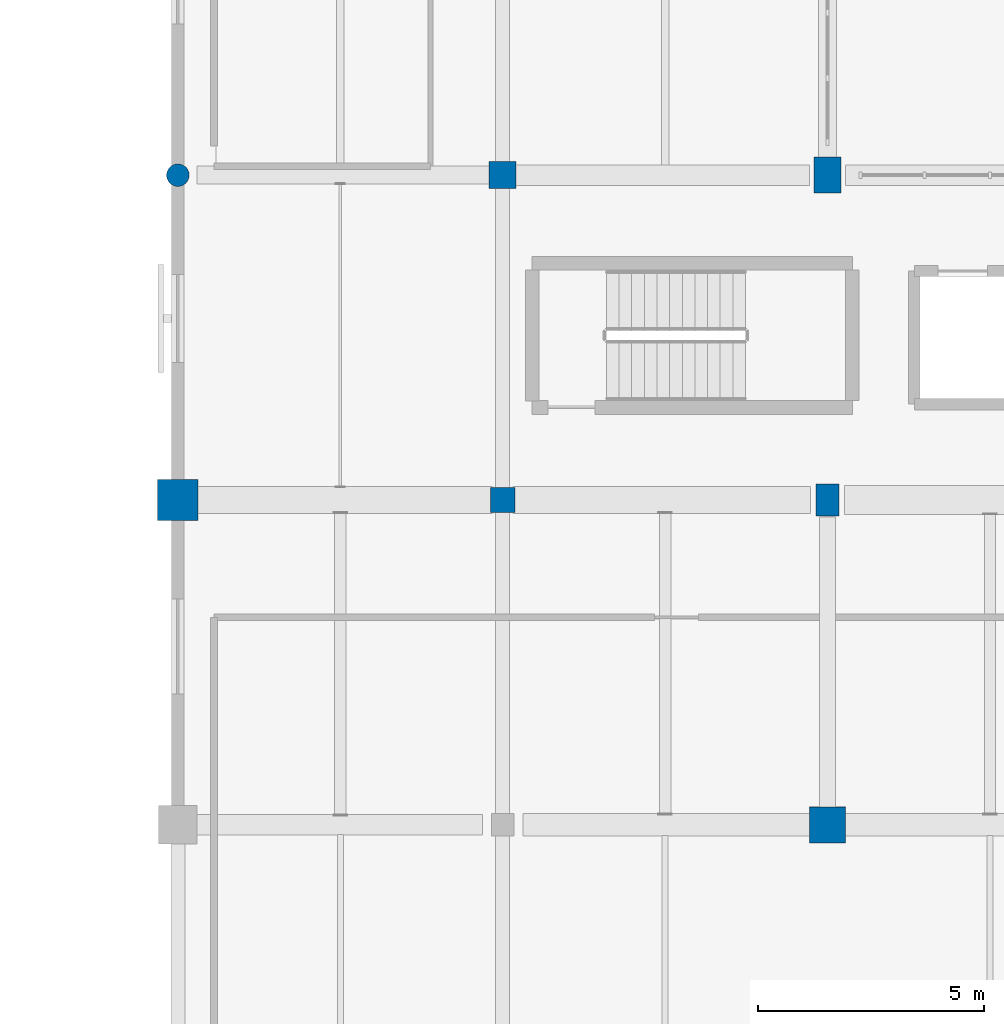
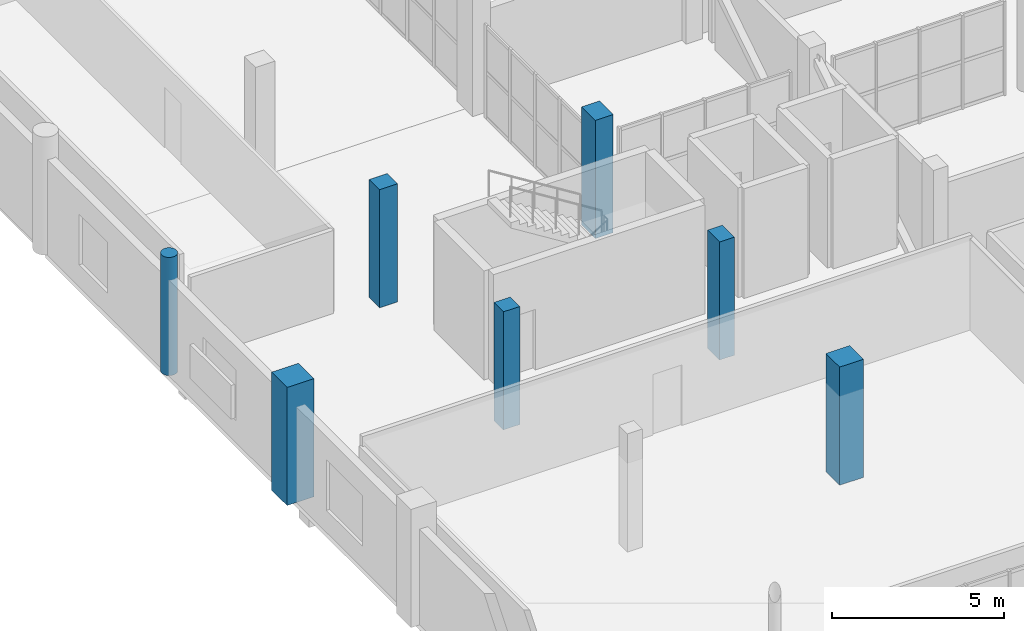
# One storey, part 6 of 90: 7 columns.
"""IFC4 building model written with IfcOpenShell, lengths in metres."""

from ifc_helpers import new_model, si_unit, direction, frame, origin, origin_2d, place, context, subcontext, project, spatial, rectangle, circle, extrude, material, material_profile, profile_set, type_object, element, save


model = new_model("IFC4")

# Units and contexts
model_context = context("Model", 3, precision=1e-05, world=origin(), true_north=direction((0.0, 1.0)))
body_context = subcontext(model_context, "Body", "Model", "MODEL_VIEW")
ifc_project = project(units=[si_unit("LENGTHUNIT", "METRE"), si_unit("AREAUNIT", "SQUARE_METRE"), si_unit("VOLUMEUNIT", "CUBIC_METRE"), si_unit("PLANEANGLEUNIT", "RADIAN"), si_unit("MASSUNIT", "GRAM", prefix="KILO")], contexts=[model_context])

# Site, building, storey
site_placement = place(None, origin())
site = spatial("IfcSite", under=ifc_project, at=site_placement, CompositionType="ELEMENT")
building_placement = place(site_placement, origin())
building = spatial("IfcBuilding", under=site, at=building_placement, Name="Solanera Park Tramway Depot", CompositionType="ELEMENT")
storey_placement = place(building_placement, frame((0.0, 0.0, 9.0)))
storey = spatial("IfcBuildingStorey", under=building, at=storey_placement, Name="L02", CompositionType="ELEMENT", Elevation=9.0)

# Columns
ifc_material_1 = material(Name="Concrete N40 (C40/50)", Category="concrete")
ifc_material_profile_1 = material_profile(ifc_material_1, rectangle(XDim=0.800048828125, YDim=0.800048828125, at=origin_2d()), Name="RC 800x800")
ifc_profile_set_1 = profile_set([ifc_material_profile_1], Name="Concrete N40 (C40/50)")
column_type_1 = type_object("IfcColumnType", Name="RC Column Ext RC 800x800", PredefinedType="COLUMN", material=ifc_profile_set_1)
column_1_placement = place(storey_placement, frame((122.39990234375, 10.800048828125, 0.0), z_axis=(0.0, 0.0, 1.0), x_axis=(1.0, 0.0, 0.0)))
element("IfcColumn", 1, at=column_1_placement, inside=storey, type_object=column_type_1, Name="L02 Column V4-X1224-Y108", PredefinedType="COLUMN", context=body_context, shape_type="SweptSolid", body=[
    extrude(rectangle(XDim=0.800048828125, YDim=0.800048828125, at=origin_2d()), origin(), (0.0, 0.0, 1.0), 4.199951171875),
])
ifc_material_2 = material(Name="Concrete N40 (C40/50)", Category="concrete")
ifc_material_profile_2 = material_profile(ifc_material_2, rectangle(XDim=0.89990234375, YDim=0.89990234375, at=origin_2d()), Name="RC 900x900")
ifc_profile_set_2 = profile_set([ifc_material_profile_2], Name="Concrete N40 (C40/50)")
column_type_2 = type_object("IfcColumnType", Name="RC Column Ext RC 900x900", PredefinedType="COLUMN", material=ifc_profile_set_2)
column_2_placement = place(storey_placement, frame((108.0, 18.0, 0.0), z_axis=(0.0, 0.0, 1.0), x_axis=(1.0, 0.0, 0.0)))
element("IfcColumn", 2, at=column_2_placement, inside=storey, type_object=column_type_2, Name="L02 Column V4-X1080-Y180", PredefinedType="COLUMN", context=body_context, shape_type="SweptSolid", body=[
    extrude(rectangle(XDim=0.89990234375, YDim=0.89990234375, at=origin_2d()), origin(), (0.0, 0.0, 1.0), 4.199951171875),
])
ifc_material_3 = material(Name="Concrete N40 (C40/50)", Category="concrete")
ifc_material_profile_3 = material_profile(ifc_material_3, circle(Radius=0.25, at=origin_2d()), Name="RC D500")
ifc_profile_set_3 = profile_set([ifc_material_profile_3], Name="Concrete N40 (C40/50)")
column_type_3 = type_object("IfcColumnType", Name="RC Column Ext RC D500", PredefinedType="COLUMN", material=ifc_profile_set_3)
column_3_placement = place(storey_placement, frame((108.0, 25.199951171875, 0.0), z_axis=(0.0, 0.0, 1.0), x_axis=(1.0, 0.0, 0.0)))
element("IfcColumn", 3, at=column_3_placement, inside=storey, type_object=column_type_3, Name="L02 Column V4-X1080-Y252", PredefinedType="COLUMN", context=body_context, shape_type="SweptSolid", body=[
    extrude(circle(Radius=0.25, at=origin_2d()), origin(), (0.0, 0.0, 1.0), 4.199951171875),
])
ifc_material_4 = material(Name="Concrete N40 (C40/50)", Category="concrete")
ifc_material_profile_4 = material_profile(ifc_material_4, rectangle(XDim=0.5, YDim=0.699951171875, at=origin_2d()), Name="RC 500x700")
ifc_profile_set_4 = profile_set([ifc_material_profile_4], Name="Concrete N40 (C40/50)")
column_type_4 = type_object("IfcColumnType", Name="RC Column Int RC 500x700", PredefinedType="COLUMN", material=ifc_profile_set_4)
column_4_placement = place(storey_placement, frame((122.39990234375, 18.0, 0.0), z_axis=(0.0, 0.0, 1.0), x_axis=(1.0, 0.0, 0.0)))
element("IfcColumn", 4, at=column_4_placement, inside=storey, type_object=column_type_4, Name="L02 Column V4-X1224-Y180", PredefinedType="COLUMN", context=body_context, shape_type="SweptSolid", body=[
    extrude(rectangle(XDim=0.5, YDim=0.699951171875, at=origin_2d()), origin(), (0.0, 0.0, 1.0), 4.199951171875),
])
ifc_material_5 = material(Name="Concrete N40 (C40/50)", Category="concrete")
ifc_material_profile_5 = material_profile(ifc_material_5, rectangle(XDim=0.550048828125, YDim=0.550048828125, at=origin_2d()), Name="RC 550x550")
ifc_profile_set_5 = profile_set([ifc_material_profile_5], Name="Concrete N40 (C40/50)")
column_type_5 = type_object("IfcColumnType", Name="RC Column Int RC 550x550", PredefinedType="COLUMN", material=ifc_profile_set_5)
column_5_placement = place(storey_placement, frame((115.199951171875, 18.0, 0.0), z_axis=(0.0, 0.0, 1.0), x_axis=(1.0, 0.0, 0.0)))
element("IfcColumn", 5, at=column_5_placement, inside=storey, type_object=column_type_5, Name="L02 Column V4-X1152-Y180", PredefinedType="COLUMN", context=body_context, shape_type="SweptSolid", body=[
    extrude(rectangle(XDim=0.550048828125, YDim=0.550048828125, at=origin_2d()), origin(), (0.0, 0.0, 1.0), 4.199951171875),
])
ifc_material_6 = material(Name="Concrete N40 (C40/50)", Category="concrete")
ifc_material_profile_6 = material_profile(ifc_material_6, rectangle(XDim=0.60009765625, YDim=0.60009765625, at=origin_2d()), Name="RC 600x600")
ifc_profile_set_6 = profile_set([ifc_material_profile_6], Name="Concrete N40 (C40/50)")
column_type_6 = type_object("IfcColumnType", Name="RC Column Int RC 600x600", PredefinedType="COLUMN", material=ifc_profile_set_6)
column_6_placement = place(storey_placement, frame((115.199951171875, 25.199951171875, 0.0), z_axis=(0.0, 0.0, 1.0), x_axis=(1.0, 0.0, 0.0)))
element("IfcColumn", 6, at=column_6_placement, inside=storey, type_object=column_type_6, Name="L02 Column V4-X1152-Y252", PredefinedType="COLUMN", context=body_context, shape_type="SweptSolid", body=[
    extrude(rectangle(XDim=0.60009765625, YDim=0.60009765625, at=origin_2d()), origin(), (0.0, 0.0, 1.0), 4.199951171875),
])
ifc_material_7 = material(Name="Concrete N40 (C40/50)", Category="concrete")
ifc_material_profile_7 = material_profile(ifc_material_7, rectangle(XDim=0.60009765625, YDim=0.800048828125, at=origin_2d()), Name="RC 600x800")
ifc_profile_set_7 = profile_set([ifc_material_profile_7], Name="Concrete N40 (C40/50)")
column_type_7 = type_object("IfcColumnType", Name="RC Column Int RC 600x800", PredefinedType="COLUMN", material=ifc_profile_set_7)
column_7_placement = place(storey_placement, frame((122.39990234375, 25.199951171875, 0.0), z_axis=(0.0, 0.0, 1.0), x_axis=(1.0, 0.0, 0.0)))
element("IfcColumn", 7, at=column_7_placement, inside=storey, type_object=column_type_7, Name="L02 Column V4-X1224-Y252", PredefinedType="COLUMN", context=body_context, shape_type="SweptSolid", body=[
    extrude(rectangle(XDim=0.60009765625, YDim=0.800048828125, at=origin_2d()), origin(), (0.0, 0.0, 1.0), 4.199951171875),
])

save(model, "model.ifc")
